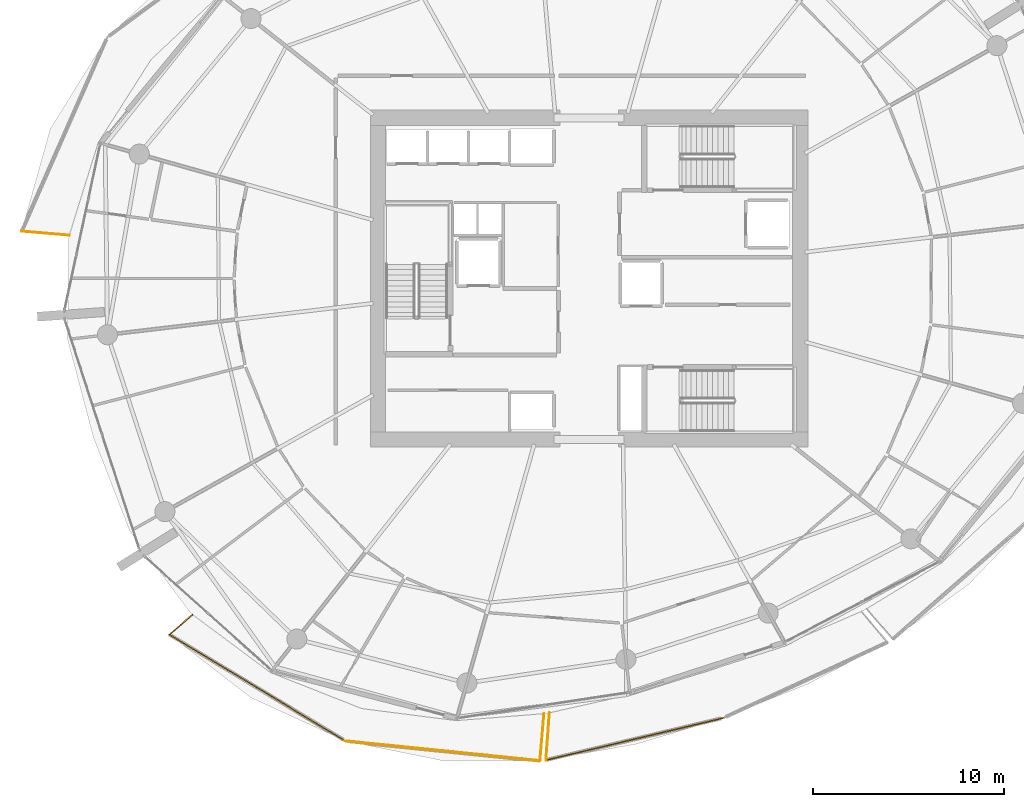
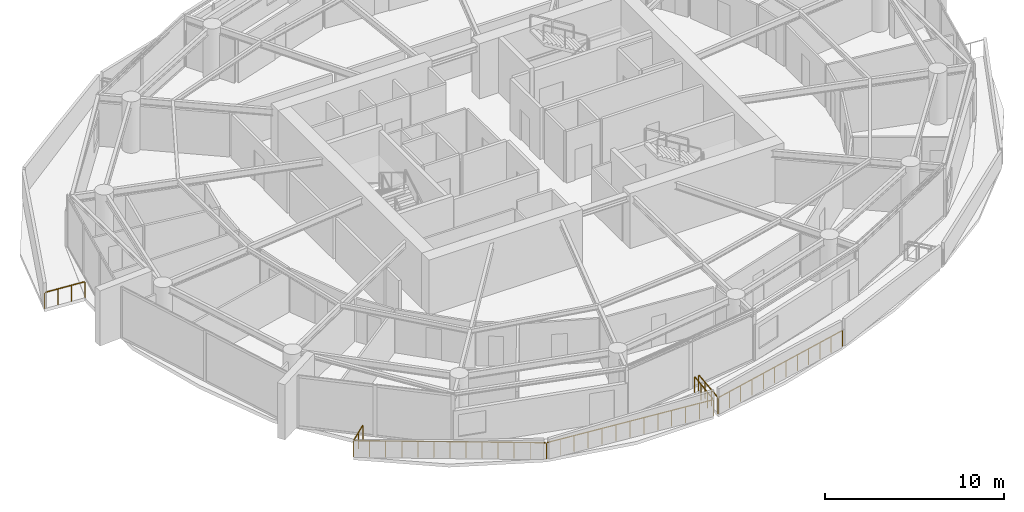
# One storey, part 16 of 20: 7 railings.
"""IFC4 building model written with IfcOpenShell, lengths in metres."""

from ifc_helpers import new_model, si_unit, direction, frame, origin, origin_2d, place, context, subcontext, project, spatial, rectangle, extrude, material, type_object, element, save


model = new_model("IFC4")

# Units and contexts
model_context = context("Model", 3, precision=1e-05, world=origin(), true_north=direction((0.0, 1.0)))
body_context = subcontext(model_context, "Body", "Model", "MODEL_VIEW")
ifc_project = project(units=[si_unit("LENGTHUNIT", "METRE"), si_unit("AREAUNIT", "SQUARE_METRE"), si_unit("VOLUMEUNIT", "CUBIC_METRE"), si_unit("PLANEANGLEUNIT", "RADIAN"), si_unit("MASSUNIT", "GRAM", prefix="KILO")], contexts=[model_context])

# Site, building, storey
site_placement = place(None, origin())
site = spatial("IfcSite", under=ifc_project, at=site_placement, CompositionType="ELEMENT")
building_placement = place(site_placement, origin())
building = spatial("IfcBuilding", under=site, at=building_placement, Name="Kazma Halo Residences", CompositionType="ELEMENT")
storey_placement = place(building_placement, frame((0.0, 0.0, 139.050048828125)))
storey = spatial("IfcBuildingStorey", under=building, at=storey_placement, Name="L34", CompositionType="ELEMENT", Elevation=139.050048828125)

# Railings
ifc_material = material(Name="Aluminium AW-6063 T6 Brushed Cap Rail", Category="aluminium")
railing_type = type_object("IfcRailingType", Name="RLG-BAL-CAP-1120", PredefinedType="BALUSTRADE", material=ifc_material)
railing_1_placement = place(storey_placement, frame((18.782958984375, 44.47900390625, 0.0)))
element("IfcRailing", 1, at=railing_1_placement, inside=storey, type_object=railing_type, Name="L34 NW wave balcony guard 4", PredefinedType="BALUSTRADE", context=body_context, shape_type="SweptSolid", body=[
    extrude(rectangle(XDim=0.050048828125, YDim=0.050048828125, at=origin_2d()), frame((0.04248046875, -0.003662109375, 1.09521484375), z_axis=(0.996421037554, -0.084528787517, 0.0), x_axis=(0.084528787517, 0.996421037554, 0.0)), (0.0, 0.0, 1.0), 2.407470703125),
    extrude(rectangle(XDim=0.0400390625, YDim=0.0400390625, at=origin_2d()), origin(), (0.0, 0.0, 1.0), 1.05810546875),
    extrude(rectangle(XDim=0.0400390625, YDim=0.0400390625, at=origin_2d()), frame((0.827880859375, -0.0703125, 0.0)), (0.0, 0.0, 1.0), 1.05810546875),
    extrude(rectangle(XDim=0.0400390625, YDim=0.0400390625, at=origin_2d()), frame((1.65576171875, -0.140380859375, 0.0)), (0.0, 0.0, 1.0), 1.05810546875),
    extrude(rectangle(XDim=0.0400390625, YDim=0.0400390625, at=origin_2d()), frame((2.483642578125, -0.210693359375, 0.0)), (0.0, 0.0, 1.0), 1.05810546875),
])
railing_2_placement = place(storey_placement, frame((27.705322265625, 24.451416015625, 0.0)))
element("IfcRailing", 2, at=railing_2_placement, inside=storey, type_object=railing_type, Name="L34 SW wave balcony guard 1", PredefinedType="BALUSTRADE", context=body_context, shape_type="SweptSolid", body=[
    extrude(rectangle(XDim=0.050048828125, YDim=0.050048828125, at=origin_2d()), frame((-0.0322265625, -0.02783203125, 1.09521484375), z_axis=(-0.756359086682, -0.654156657074, 0.0), x_axis=(0.654156657074, -0.756359086682, 0.0)), (0.0, 0.0, 1.0), 1.512939453125),
    extrude(rectangle(XDim=0.0400390625, YDim=0.0400390625, at=origin_2d()), origin(), (0.0, 0.0, 1.0), 1.05810546875),
    extrude(rectangle(XDim=0.0400390625, YDim=0.0400390625, at=origin_2d()), frame((-0.6044921875, -0.522705078125, 0.0)), (0.0, 0.0, 1.0), 1.05810546875),
    extrude(rectangle(XDim=0.0400390625, YDim=0.0400390625, at=origin_2d()), frame((-1.208740234375, -1.04541015625, 0.0)), (0.0, 0.0, 1.0), 1.05810546875),
])
railing_3_placement = place(storey_placement, frame((26.49658203125, 23.406005859375, 0.0)))
element("IfcRailing", 3, at=railing_3_placement, inside=storey, type_object=railing_type, Name="L34 SW wave balcony guard 2", PredefinedType="BALUSTRADE", context=body_context, shape_type="SweptSolid", body=[
    extrude(rectangle(XDim=0.050048828125, YDim=0.050048828125, at=origin_2d()), frame((0.036376953125, -0.02197265625, 1.09521484375), z_axis=(0.856003934619, -0.516969306552, 0.0), x_axis=(0.516969306552, 0.856003934619, 0.0)), (0.0, 0.0, 1.0), 10.6611328125),
    extrude(rectangle(XDim=0.0400390625, YDim=0.0400390625, at=origin_2d()), origin(), (0.0, 0.0, 1.0), 1.05810546875),
    extrude(rectangle(XDim=0.0400390625, YDim=0.0400390625, at=origin_2d()), frame((0.7666015625, -0.462890625, 0.0)), (0.0, 0.0, 1.0), 1.05810546875),
    extrude(rectangle(XDim=0.0400390625, YDim=0.0400390625, at=origin_2d()), frame((1.533203125, -0.92578125, 0.0)), (0.0, 0.0, 1.0), 1.05810546875),
    extrude(rectangle(XDim=0.0400390625, YDim=0.0400390625, at=origin_2d()), frame((2.2998046875, -1.388916015625, 0.0)), (0.0, 0.0, 1.0), 1.05810546875),
    extrude(rectangle(XDim=0.0400390625, YDim=0.0400390625, at=origin_2d()), frame((3.066162109375, -1.851806640625, 0.0)), (0.0, 0.0, 1.0), 1.05810546875),
    extrude(rectangle(XDim=0.0400390625, YDim=0.0400390625, at=origin_2d()), frame((3.832763671875, -2.314697265625, 0.0)), (0.0, 0.0, 1.0), 1.05810546875),
    extrude(rectangle(XDim=0.0400390625, YDim=0.0400390625, at=origin_2d()), frame((4.599365234375, -2.77783203125, 0.0)), (0.0, 0.0, 1.0), 1.05810546875),
    extrude(rectangle(XDim=0.0400390625, YDim=0.0400390625, at=origin_2d()), frame((5.365966796875, -3.24072265625, 0.0)), (0.0, 0.0, 1.0), 1.05810546875),
    extrude(rectangle(XDim=0.0400390625, YDim=0.0400390625, at=origin_2d()), frame((6.132568359375, -3.70361328125, 0.0)), (0.0, 0.0, 1.0), 1.05810546875),
    extrude(rectangle(XDim=0.0400390625, YDim=0.0400390625, at=origin_2d()), frame((6.89892578125, -4.16650390625, 0.0)), (0.0, 0.0, 1.0), 1.05810546875),
    extrude(rectangle(XDim=0.0400390625, YDim=0.0400390625, at=origin_2d()), frame((7.66552734375, -4.62939453125, 0.0)), (0.0, 0.0, 1.0), 1.05810546875),
    extrude(rectangle(XDim=0.0400390625, YDim=0.0400390625, at=origin_2d()), frame((8.43212890625, -5.092529296875, 0.0)), (0.0, 0.0, 1.0), 1.05810546875),
    extrude(rectangle(XDim=0.0400390625, YDim=0.0400390625, at=origin_2d()), frame((9.19873046875, -5.555419921875, 0.0)), (0.0, 0.0, 1.0), 1.05810546875),
])
railing_4_placement = place(storey_placement, frame((35.6953125, 17.8505859375, 0.0)))
element("IfcRailing", 4, at=railing_4_placement, inside=storey, type_object=railing_type, Name="L34 SW wave balcony guard 3", PredefinedType="BALUSTRADE", context=body_context, shape_type="SweptSolid", body=[
    extrude(rectangle(XDim=0.050048828125, YDim=0.050048828125, at=origin_2d()), frame((0.042236328125, -0.00439453125, 1.09521484375), z_axis=(0.994888990239, -0.100974734963, 0.0), x_axis=(0.100974734963, 0.994888990239, 0.0)), (0.0, 0.0, 1.0), 10.135009765625),
    extrude(rectangle(XDim=0.0400390625, YDim=0.0400390625, at=origin_2d()), origin(), (0.0, 0.0, 1.0), 1.05810546875),
    extrude(rectangle(XDim=0.0400390625, YDim=0.0400390625, at=origin_2d()), frame((0.847412109375, -0.0859375, 0.0)), (0.0, 0.0, 1.0), 1.05810546875),
    extrude(rectangle(XDim=0.0400390625, YDim=0.0400390625, at=origin_2d()), frame((1.694580078125, -0.171875, 0.0)), (0.0, 0.0, 1.0), 1.05810546875),
    extrude(rectangle(XDim=0.0400390625, YDim=0.0400390625, at=origin_2d()), frame((2.5419921875, -0.258056640625, 0.0)), (0.0, 0.0, 1.0), 1.05810546875),
    extrude(rectangle(XDim=0.0400390625, YDim=0.0400390625, at=origin_2d()), frame((3.389404296875, -0.343994140625, 0.0)), (0.0, 0.0, 1.0), 1.05810546875),
    extrude(rectangle(XDim=0.0400390625, YDim=0.0400390625, at=origin_2d()), frame((4.236572265625, -0.429931640625, 0.0)), (0.0, 0.0, 1.0), 1.05810546875),
    extrude(rectangle(XDim=0.0400390625, YDim=0.0400390625, at=origin_2d()), frame((5.083984375, -0.51611328125, 0.0)), (0.0, 0.0, 1.0), 1.05810546875),
    extrude(rectangle(XDim=0.0400390625, YDim=0.0400390625, at=origin_2d()), frame((5.931396484375, -0.60205078125, 0.0)), (0.0, 0.0, 1.0), 1.05810546875),
    extrude(rectangle(XDim=0.0400390625, YDim=0.0400390625, at=origin_2d()), frame((6.778564453125, -0.68798828125, 0.0)), (0.0, 0.0, 1.0), 1.05810546875),
    extrude(rectangle(XDim=0.0400390625, YDim=0.0400390625, at=origin_2d()), frame((7.6259765625, -0.77392578125, 0.0)), (0.0, 0.0, 1.0), 1.05810546875),
    extrude(rectangle(XDim=0.0400390625, YDim=0.0400390625, at=origin_2d()), frame((8.473388671875, -0.85986328125, 0.0)), (0.0, 0.0, 1.0), 1.05810546875),
    extrude(rectangle(XDim=0.0400390625, YDim=0.0400390625, at=origin_2d()), frame((9.320556640625, -0.946044921875, 0.0)), (0.0, 0.0, 1.0), 1.05810546875),
    extrude(rectangle(XDim=0.0400390625, YDim=0.0400390625, at=origin_2d()), frame((10.16796875, -1.031982421875, 0.0)), (0.0, 0.0, 1.0), 1.05810546875),
])
railing_5_placement = place(storey_placement, frame((45.86328125, 16.818603515625, 0.0)))
element("IfcRailing", 5, at=railing_5_placement, inside=storey, type_object=railing_type, Name="L34 SW wave balcony guard 4", PredefinedType="BALUSTRADE", context=body_context, shape_type="SweptSolid", body=[
    extrude(rectangle(XDim=0.050048828125, YDim=0.050048828125, at=origin_2d()), frame((0.003662109375, 0.04248046875, 1.09521484375), z_axis=(0.084517933957, 0.996421958228, 0.0), x_axis=(-0.996421958228, 0.084517933957, 0.0)), (0.0, 0.0, 1.0), 2.384765625),
    extrude(rectangle(XDim=0.0400390625, YDim=0.0400390625, at=origin_2d()), origin(), (0.0, 0.0, 1.0), 1.05810546875),
    extrude(rectangle(XDim=0.0400390625, YDim=0.0400390625, at=origin_2d()), frame((0.069580078125, 0.8203125, 0.0)), (0.0, 0.0, 1.0), 1.05810546875),
    extrude(rectangle(XDim=0.0400390625, YDim=0.0400390625, at=origin_2d()), frame((0.13916015625, 1.640625, 0.0)), (0.0, 0.0, 1.0), 1.05810546875),
    extrude(rectangle(XDim=0.0400390625, YDim=0.0400390625, at=origin_2d()), frame((0.208740234375, 2.4609375, 0.0)), (0.0, 0.0, 1.0), 1.05810546875),
])
railing_6_placement = place(storey_placement, frame((46.3544921875, 19.32177734375, 0.0)))
element("IfcRailing", 6, at=railing_6_placement, inside=storey, type_object=railing_type, Name="L34 SSE wave balcony guard 1", PredefinedType="BALUSTRADE", context=body_context, shape_type="SweptSolid", body=[
    extrude(rectangle(XDim=0.050048828125, YDim=0.050048828125, at=origin_2d()), frame((-0.003173828125, -0.04248046875, 1.09521484375), z_axis=(-0.072387851321, -0.997376558267, 0.0), x_axis=(0.997376558267, -0.072387851321, 0.0)), (0.0, 0.0, 1.0), 2.393798828125),
    extrude(rectangle(XDim=0.0400390625, YDim=0.0400390625, at=origin_2d()), origin(), (0.0, 0.0, 1.0), 1.05810546875),
    extrude(rectangle(XDim=0.0400390625, YDim=0.0400390625, at=origin_2d()), frame((-0.059814453125, -0.82421875, 0.0)), (0.0, 0.0, 1.0), 1.05810546875),
    extrude(rectangle(XDim=0.0400390625, YDim=0.0400390625, at=origin_2d()), frame((-0.11962890625, -1.648193359375, 0.0)), (0.0, 0.0, 1.0), 1.05810546875),
    extrude(rectangle(XDim=0.0400390625, YDim=0.0400390625, at=origin_2d()), frame((-0.179443359375, -2.472412109375, 0.0)), (0.0, 0.0, 1.0), 1.05810546875),
])
railing_7_placement = place(storey_placement, frame((46.175048828125, 16.849365234375, 0.0)))
element("IfcRailing", 7, at=railing_7_placement, inside=storey, type_object=railing_type, Name="L34 SSE wave balcony guard 2", PredefinedType="BALUSTRADE", context=body_context, shape_type="SweptSolid", body=[
    extrude(rectangle(XDim=0.050048828125, YDim=0.050048828125, at=origin_2d()), frame((0.04150390625, 0.009765625, 1.09521484375), z_axis=(0.972949927438, 0.231016100517, 0.0), x_axis=(-0.231016100517, 0.972949927438, 0.0)), (0.0, 0.0, 1.0), 9.45361328125),
    extrude(rectangle(XDim=0.0400390625, YDim=0.0400390625, at=origin_2d()), origin(), (0.0, 0.0, 1.0), 1.05810546875),
    extrude(rectangle(XDim=0.0400390625, YDim=0.0400390625, at=origin_2d()), frame((0.84375, 0.200439453125, 0.0)), (0.0, 0.0, 1.0), 1.05810546875),
    extrude(rectangle(XDim=0.0400390625, YDim=0.0400390625, at=origin_2d()), frame((1.6875, 0.400634765625, 0.0)), (0.0, 0.0, 1.0), 1.05810546875),
    extrude(rectangle(XDim=0.0400390625, YDim=0.0400390625, at=origin_2d()), frame((2.531005859375, 0.60107421875, 0.0)), (0.0, 0.0, 1.0), 1.05810546875),
    extrude(rectangle(XDim=0.0400390625, YDim=0.0400390625, at=origin_2d()), frame((3.374755859375, 0.80126953125, 0.0)), (0.0, 0.0, 1.0), 1.05810546875),
    extrude(rectangle(XDim=0.0400390625, YDim=0.0400390625, at=origin_2d()), frame((4.218505859375, 1.001708984375, 0.0)), (0.0, 0.0, 1.0), 1.05810546875),
    extrude(rectangle(XDim=0.0400390625, YDim=0.0400390625, at=origin_2d()), frame((5.062255859375, 1.201904296875, 0.0)), (0.0, 0.0, 1.0), 1.05810546875),
    extrude(rectangle(XDim=0.0400390625, YDim=0.0400390625, at=origin_2d()), frame((5.906005859375, 1.40234375, 0.0)), (0.0, 0.0, 1.0), 1.05810546875),
    extrude(rectangle(XDim=0.0400390625, YDim=0.0400390625, at=origin_2d()), frame((6.749755859375, 1.6025390625, 0.0)), (0.0, 0.0, 1.0), 1.05810546875),
    extrude(rectangle(XDim=0.0400390625, YDim=0.0400390625, at=origin_2d()), frame((7.59326171875, 1.802978515625, 0.0)), (0.0, 0.0, 1.0), 1.05810546875),
    extrude(rectangle(XDim=0.0400390625, YDim=0.0400390625, at=origin_2d()), frame((8.43701171875, 2.003173828125, 0.0)), (0.0, 0.0, 1.0), 1.05810546875),
    extrude(rectangle(XDim=0.0400390625, YDim=0.0400390625, at=origin_2d()), frame((9.28076171875, 2.20361328125, 0.0)), (0.0, 0.0, 1.0), 1.05810546875),
])

save(model, "model.ifc")
